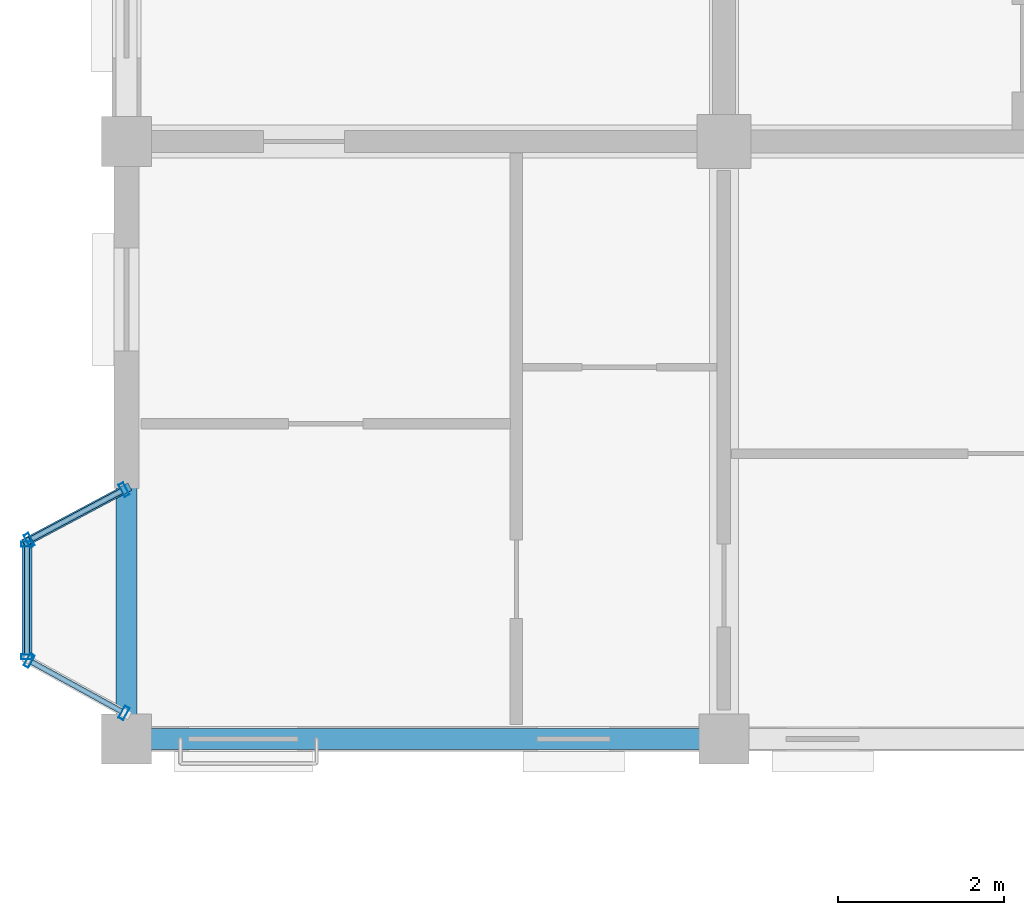
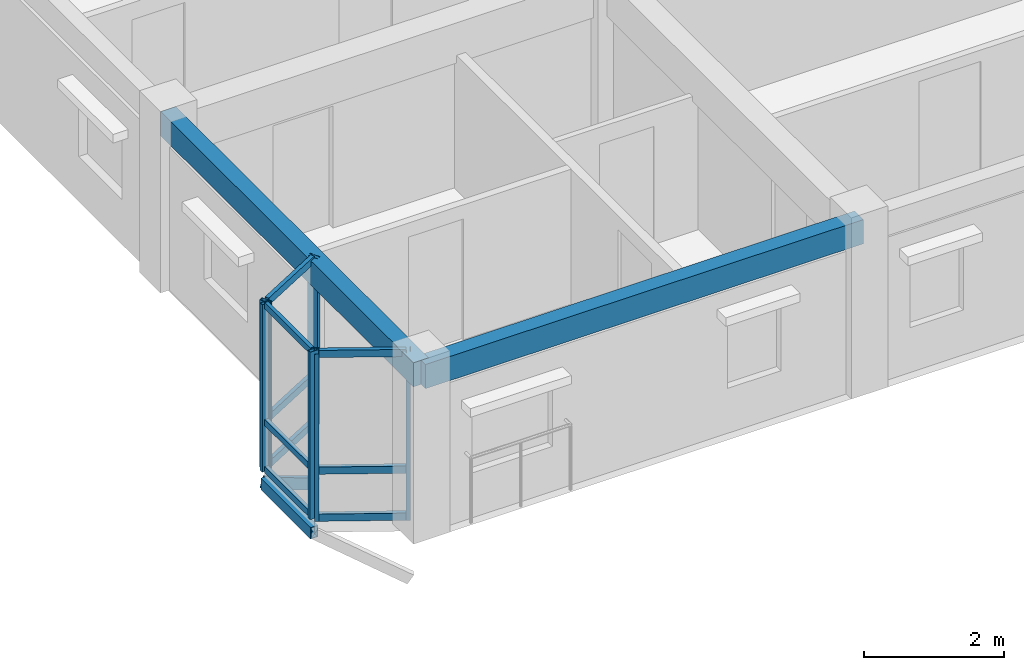
# One storey, part 17 of 124: 17 members, 2 beams, 3 elements without a shape of their own.
"""IFC4 building model written with IfcOpenShell, lengths in metres."""

from ifc_helpers import new_model, si_unit, direction, frame, origin, origin_2d, place, context, subcontext, project, spatial, rectangle, hollow_rectangle, extrude, material, layer, layer_set, material_profile, profile_set, type_object, element, aggregate, save


model = new_model("IFC4")

# Units and contexts
model_context = context("Model", 3, precision=1e-05, world=origin(), true_north=direction((0.0, 1.0)))
body_context = subcontext(model_context, "Body", "Model", "MODEL_VIEW")
ifc_project = project(units=[si_unit("LENGTHUNIT", "METRE"), si_unit("AREAUNIT", "SQUARE_METRE"), si_unit("VOLUMEUNIT", "CUBIC_METRE"), si_unit("PLANEANGLEUNIT", "RADIAN"), si_unit("MASSUNIT", "GRAM", prefix="KILO"), si_unit("THERMODYNAMICTEMPERATUREUNIT", "KELVIN"), si_unit("POWERUNIT", "WATT")], contexts=[model_context])

# Site, building, storey
site_placement = place(None, origin())
site = spatial("IfcSite", under=ifc_project, at=site_placement, CompositionType="ELEMENT")
building_placement = place(site_placement, origin())
building = spatial("IfcBuilding", under=site, at=building_placement, Name="Tavuni Mirador Residences", CompositionType="ELEMENT")
storey_placement = place(building_placement, frame((0.0, 0.0, 7.64990234375)))
storey = spatial("IfcBuildingStorey", under=building, at=storey_placement, Name="L02", CompositionType="ELEMENT", Elevation=7.64990234375)

# Beams
ifc_material_1 = material(Name="Precast concrete C40/50", Category="concrete")
ifc_material_profile_1 = material_profile(ifc_material_1, rectangle(XDim=0.25, YDim=0.419921875, at=origin_2d()), Name="PC 250x420", Category="concrete")
ifc_profile_set_1 = profile_set([ifc_material_profile_1], Name="Precast concrete C40/50")
beam_type = type_object("IfcBeamType", Name="BT-SP420", PredefinedType="SPANDREL", material=ifc_profile_set_1)
for number, where, z_axis, x_axis, name in (
    (1, (3.60009765625, 64.800048828125, 2.7001953125), (1.0, 0.0, 0.0), (0.0, 1.0, 0.0), "BMX-BLK-B-L02-00-00"),
    (2, (3.60009765625, 64.800048828125, 2.7001953125), (0.0, 1.0, 0.0), (-1.0, 0.0, 0.0), "BMY-BLK-B-L02-00-00"),
):
    element("IfcBeam", number, at=place(storey_placement, frame(where, z_axis=z_axis, x_axis=x_axis)), inside=storey, type_object=beam_type, Name=name, PredefinedType="SPANDREL", context=body_context, shape_type="SweptSolid", body=[
        extrude(rectangle(XDim=0.25, YDim=0.419921875, at=origin_2d()), origin(), (0.0, 0.0, 1.0), 7.199951171875),
    ])

# Curtain wall, members
ifc_material_2 = material(Name="Anodised aluminium", Category="aluminium")
ifc_layer_1 = layer(ifc_material_2, 0.175048828125, Name="Anodised aluminium", Category="aluminium")
ifc_layer_set_1 = layer_set([ifc_layer_1], Name="Anodised aluminium")
curtain_wall_type_1 = type_object("IfcCurtainWallType", Name="CWT-MIR-C", PredefinedType="NOTDEFINED", material=ifc_layer_set_1)
curtain_wall_1_placement = place(storey_placement, origin())
curtain_wall_1 = element("IfcCurtainWall", 3, at=curtain_wall_1_placement, inside=storey, type_object=curtain_wall_type_1, Name="CW-MIR-B-W1-L02-MF", PredefinedType="NOTDEFINED")
ifc_material_profile_2 = material_profile(ifc_material_2, hollow_rectangle(XDim=0.06005859375, YDim=0.139892578125, WallThickness=0.00390625, at=origin_2d()), Name="ALU 60x140x4.0", Category="aluminium")
ifc_profile_set_2 = profile_set([ifc_material_profile_2], Name="Anodised aluminium")
member_type_1 = type_object("IfcMemberType", Name="CWM-140", PredefinedType="MULLION", material=ifc_profile_set_2)
member_1_placement = place(storey_placement, frame((2.39990234375, 67.14990234375, 0.0), z_axis=(0.0, 0.0, 1.0), x_axis=(0.0, -1.0, 0.0)))
member_1 = element("IfcMember", 4, at=member_1_placement, type_object=member_type_1, Name="CW-03 mullion 1", PredefinedType="MULLION", context=body_context, shape_type="SweptSolid", body=[
    extrude(hollow_rectangle(XDim=0.06005859375, YDim=0.139892578125, WallThickness=0.00390625, at=origin_2d()), origin(), (0.0, 0.0, 1.0), 2.91015625),
])
member_2_placement = place(storey_placement, frame((2.39990234375, 65.7900390625, 0.0), z_axis=(0.0, 0.0, 1.0), x_axis=(0.0, -1.0, 0.0)))
member_2 = element("IfcMember", 5, at=member_2_placement, type_object=member_type_1, Name="CW-03 mullion 2", PredefinedType="MULLION", context=body_context, shape_type="SweptSolid", body=[
    extrude(hollow_rectangle(XDim=0.06005859375, YDim=0.139892578125, WallThickness=0.00390625, at=origin_2d()), origin(), (0.0, 0.0, 1.0), 2.91015625),
])

ifc_layer_2 = layer(ifc_material_2, 0.14990234375, Name="Anodised aluminium", Category="aluminium")
ifc_layer_set_2 = layer_set([ifc_layer_2], Name="Anodised aluminium")
curtain_wall_type_2 = type_object("IfcCurtainWallType", Name="CWT-MIR-B", PredefinedType="NOTDEFINED", material=ifc_layer_set_2)
curtain_wall_2_placement = place(storey_placement, origin())
curtain_wall_2 = element("IfcCurtainWall", 6, at=curtain_wall_2_placement, inside=storey, type_object=curtain_wall_type_2, Name="CW-MIR-B-W1-L02-M1", PredefinedType="NOTDEFINED")
ifc_material_profile_3 = material_profile(ifc_material_2, hollow_rectangle(XDim=0.06494140625, YDim=0.1650390625, WallThickness=0.00439453125, at=origin_2d()), Name="ALU 65x165x4.5", Category="aluminium")
ifc_profile_set_3 = profile_set([ifc_material_profile_3], Name="Anodised aluminium")
member_type_2 = type_object("IfcMemberType", Name="CWM-165", PredefinedType="MULLION", material=ifc_profile_set_3)
member_3_placement = place(storey_placement, frame((3.5712890625, 67.8046875, 0.0), z_axis=(0.0, 0.0, 1.0), x_axis=(-0.882352941175, -0.470588235296, 0.0)))
member_3 = element("IfcMember", 7, at=member_3_placement, type_object=member_type_2, Name="CW-02 mullion 1", PredefinedType="MULLION", context=body_context, shape_type="SweptSolid", body=[
    extrude(hollow_rectangle(XDim=0.06494140625, YDim=0.1650390625, WallThickness=0.00439453125, at=origin_2d()), origin(), (0.0, 0.0, 1.0), 2.91015625),
])
member_4_placement = place(storey_placement, frame((2.4287109375, 67.1953125, 0.0), z_axis=(0.0, 0.0, 1.0), x_axis=(-0.882352941175, -0.470588235296, 0.0)))
member_4 = element("IfcMember", 8, at=member_4_placement, type_object=member_type_2, Name="CW-02 mullion 2", PredefinedType="MULLION", context=body_context, shape_type="SweptSolid", body=[
    extrude(hollow_rectangle(XDim=0.06494140625, YDim=0.1650390625, WallThickness=0.00439453125, at=origin_2d()), origin(), (0.0, 0.0, 1.0), 2.91015625),
])

ifc_layer_3 = layer(ifc_material_2, 0.159912109375, Name="Anodised aluminium", Category="aluminium")
ifc_layer_set_3 = layer_set([ifc_layer_3], Name="Anodised aluminium")
curtain_wall_type_3 = type_object("IfcCurtainWallType", Name="CWT-MIR-D", PredefinedType="NOTDEFINED", material=ifc_layer_set_3)
curtain_wall_3_placement = place(storey_placement, origin())
curtain_wall_3 = element("IfcCurtainWall", 9, at=curtain_wall_3_placement, inside=storey, type_object=curtain_wall_type_3, Name="CW-MIR-B-W1-L02-M2", PredefinedType="NOTDEFINED")
member_5_placement = place(storey_placement, frame((2.428466796875, 65.744384765625, 0.0), z_axis=(0.0, 0.0, 1.0), x_axis=(0.876215908676, -0.481918749773, 0.0)))
member_5 = element("IfcMember", 10, at=member_5_placement, type_object=member_type_2, Name="CW-04 mullion 1", PredefinedType="MULLION", context=body_context, shape_type="SweptSolid", body=[
    extrude(hollow_rectangle(XDim=0.06494140625, YDim=0.1650390625, WallThickness=0.00439453125, at=origin_2d()), origin(), (0.0, 0.0, 1.0), 2.91015625),
])
member_6_placement = place(storey_placement, frame((3.571533203125, 65.11572265625, 0.0), z_axis=(0.0, 0.0, 1.0), x_axis=(0.876215908676, -0.481918749773, 0.0)))
member_6 = element("IfcMember", 11, at=member_6_placement, type_object=member_type_2, Name="CW-04 mullion 2", PredefinedType="MULLION", context=body_context, shape_type="SweptSolid", body=[
    extrude(hollow_rectangle(XDim=0.06494140625, YDim=0.1650390625, WallThickness=0.00439453125, at=origin_2d()), origin(), (0.0, 0.0, 1.0), 2.91015625),
])

# Member
ifc_material_profile_4 = material_profile(ifc_material_2, hollow_rectangle(XDim=0.06005859375, YDim=0.110107421875, WallThickness=0.00390625, at=origin_2d()), Name="ALU 60x110x4.0", Category="aluminium")
ifc_profile_set_4 = profile_set([ifc_material_profile_4], Name="Anodised aluminium")
member_type_3 = type_object("IfcMemberType", Name="CWT-110", PredefinedType="USERDEFINED", material=ifc_profile_set_4)
member_7_placement = place(storey_placement, frame((2.39990234375, 67.1201171875, 0.030029296875), z_axis=(0.0, -1.0, 0.0), x_axis=(1.0, 0.0, 0.0)))
member_7 = element("IfcMember", 12, at=member_7_placement, type_object=member_type_3, Name="CW-03 transom 1.1", ObjectType="TRANSOM", PredefinedType="USERDEFINED", context=body_context, shape_type="SweptSolid", body=[
    extrude(hollow_rectangle(XDim=0.06005859375, YDim=0.110107421875, WallThickness=0.00390625, at=origin_2d()), origin(), (0.0, 0.0, 1.0), 1.300048828125),
])

member_8_placement = place(storey_placement, frame((2.39990234375, 67.1201171875, 0.85009765625), z_axis=(0.0, -1.0, 0.0), x_axis=(1.0, 0.0, 0.0)))
member_8 = element("IfcMember", 13, at=member_8_placement, type_object=member_type_3, Name="CW-03 transom 1.2", ObjectType="TRANSOM", PredefinedType="USERDEFINED", context=body_context, shape_type="SweptSolid", body=[
    extrude(hollow_rectangle(XDim=0.06005859375, YDim=0.110107421875, WallThickness=0.00390625, at=origin_2d()), origin(), (0.0, 0.0, 1.0), 1.300048828125),
])

member_9_placement = place(storey_placement, frame((2.39990234375, 67.1201171875, 2.880126953125), z_axis=(0.0, -1.0, 0.0), x_axis=(1.0, 0.0, 0.0)))
member_9 = element("IfcMember", 14, at=member_9_placement, type_object=member_type_3, Name="CW-03 transom 1.3", ObjectType="TRANSOM", PredefinedType="USERDEFINED", context=body_context, shape_type="SweptSolid", body=[
    extrude(hollow_rectangle(XDim=0.06005859375, YDim=0.110107421875, WallThickness=0.00390625, at=origin_2d()), origin(), (0.0, 0.0, 1.0), 1.300048828125),
])

aggregate(curtain_wall_1, [member_1, member_2, member_7, member_8, member_9])

ifc_material_profile_5 = material_profile(ifc_material_2, hollow_rectangle(XDim=0.06494140625, YDim=0.125, WallThickness=0.00439453125, at=origin_2d()), Name="ALU 65x125x4.5", Category="aluminium")
ifc_profile_set_5 = profile_set([ifc_material_profile_5], Name="Anodised aluminium")
member_type_4 = type_object("IfcMemberType", Name="CWT-125", PredefinedType="USERDEFINED", material=ifc_profile_set_5)
member_10_placement = place(storey_placement, frame((3.542724609375, 67.789306640625, 0.03271484375), z_axis=(-0.882451819392, -0.470402791714, 0.0), x_axis=(0.470402791714, -0.882451819392, 0.0)))
member_10 = element("IfcMember", 15, at=member_10_placement, type_object=member_type_4, Name="CW-02 transom 1.1", ObjectType="TRANSOM", PredefinedType="USERDEFINED", context=body_context, shape_type="SweptSolid", body=[
    extrude(hollow_rectangle(XDim=0.06494140625, YDim=0.125, WallThickness=0.00439453125, at=origin_2d()), origin(), (0.0, 0.0, 1.0), 1.22998046875),
])

member_11_placement = place(storey_placement, frame((3.542724609375, 67.789306640625, 0.85009765625), z_axis=(-0.882451819392, -0.470402791714, 0.0), x_axis=(0.470402791714, -0.882451819392, 0.0)))
member_11 = element("IfcMember", 16, at=member_11_placement, type_object=member_type_4, Name="CW-02 transom 1.2", ObjectType="TRANSOM", PredefinedType="USERDEFINED", context=body_context, shape_type="SweptSolid", body=[
    extrude(hollow_rectangle(XDim=0.06494140625, YDim=0.125, WallThickness=0.00439453125, at=origin_2d()), origin(), (0.0, 0.0, 1.0), 1.22998046875),
])

member_12_placement = place(storey_placement, frame((3.542724609375, 67.789306640625, 2.877685546875), z_axis=(-0.882451819392, -0.470402791714, 0.0), x_axis=(0.470402791714, -0.882451819392, 0.0)))
member_12 = element("IfcMember", 17, at=member_12_placement, type_object=member_type_4, Name="CW-02 transom 1.3", ObjectType="TRANSOM", PredefinedType="USERDEFINED", context=body_context, shape_type="SweptSolid", body=[
    extrude(hollow_rectangle(XDim=0.06494140625, YDim=0.125, WallThickness=0.00439453125, at=origin_2d()), origin(), (0.0, 0.0, 1.0), 1.22998046875),
])

aggregate(curtain_wall_2, [member_3, member_4, member_10, member_11, member_12])

member_13_placement = place(storey_placement, frame((2.45703125, 65.728759765625, 0.03271484375), z_axis=(0.876165997397, -0.482009486427, 0.0), x_axis=(0.482009486427, 0.876165997397, 0.0)))
member_13 = element("IfcMember", 18, at=member_13_placement, type_object=member_type_4, Name="CW-04 transom 1.1", ObjectType="TRANSOM", PredefinedType="USERDEFINED", context=body_context, shape_type="SweptSolid", body=[
    extrude(hollow_rectangle(XDim=0.06494140625, YDim=0.125, WallThickness=0.00439453125, at=origin_2d()), origin(), (0.0, 0.0, 1.0), 1.239501953125),
])

member_14_placement = place(storey_placement, frame((2.45703125, 65.728759765625, 0.85009765625), z_axis=(0.876165997397, -0.482009486427, 0.0), x_axis=(0.482009486427, 0.876165997397, 0.0)))
member_14 = element("IfcMember", 19, at=member_14_placement, type_object=member_type_4, Name="CW-04 transom 1.2", ObjectType="TRANSOM", PredefinedType="USERDEFINED", context=body_context, shape_type="SweptSolid", body=[
    extrude(hollow_rectangle(XDim=0.06494140625, YDim=0.125, WallThickness=0.00439453125, at=origin_2d()), origin(), (0.0, 0.0, 1.0), 1.239501953125),
])

member_15_placement = place(storey_placement, frame((2.45703125, 65.728759765625, 2.877685546875), z_axis=(0.876165997397, -0.482009486427, 0.0), x_axis=(0.482009486427, 0.876165997397, 0.0)))
member_15 = element("IfcMember", 20, at=member_15_placement, type_object=member_type_4, Name="CW-04 transom 1.3", ObjectType="TRANSOM", PredefinedType="USERDEFINED", context=body_context, shape_type="SweptSolid", body=[
    extrude(hollow_rectangle(XDim=0.06494140625, YDim=0.125, WallThickness=0.00439453125, at=origin_2d()), origin(), (0.0, 0.0, 1.0), 1.239501953125),
])

aggregate(curtain_wall_3, [member_5, member_6, member_13, member_14, member_15])

# Members
ifc_material_3 = material(Name="Structural steel S355", Category="steel")
ifc_material_profile_6 = material_profile(ifc_material_3, hollow_rectangle(XDim=0.10009765625, YDim=0.179931640625, WallThickness=0.008056640625, at=origin_2d()), Name="RHS 180x100x8.0", Category="steel")
ifc_profile_set_6 = profile_set([ifc_material_profile_6], Name="Structural steel S355")
member_type_5 = type_object("IfcMemberType", Name="MT-BR-RHS180", PredefinedType="BRACE", material=ifc_profile_set_6)
member_16_placement = place(storey_placement, frame((3.60009765625, 67.820068359375, -1.0498046875), z_axis=(-0.758154373921, -0.404369562331, 0.511553714055), x_axis=(0.470606866739, -0.882343004153, 0.0)))
element("IfcMember", 21, at=member_16_placement, inside=storey, type_object=member_type_5, Name="MBRK-MIR-B-W1-L02-2", PredefinedType="BRACE", context=body_context, shape_type="SweptSolid", body=[
    extrude(hollow_rectangle(XDim=0.10009765625, YDim=0.179931640625, WallThickness=0.008056640625, at=origin_2d()), origin(), (0.0, 0.0, 1.0), 1.5830078125),
])
ifc_material_profile_7 = material_profile(ifc_material_3, hollow_rectangle(XDim=0.1201171875, YDim=0.199951171875, WallThickness=0.010009765625, at=origin_2d()), Name="RHS 200x120x10.0", Category="steel")
ifc_profile_set_7 = profile_set([ifc_material_profile_7], Name="Structural steel S355")
member_type_6 = type_object("IfcMemberType", Name="MT-ST-RHS200", PredefinedType="STRUT", material=ifc_profile_set_7)
member_17_placement = place(storey_placement, frame((2.39990234375, 65.760009765625, -0.239990234375), z_axis=(0.0, 1.0, 0.0), x_axis=(-1.0, 0.0, 0.0)))
element("IfcMember", 22, at=member_17_placement, inside=storey, type_object=member_type_6, Name="MRIM-MIR-B-W1-L02", PredefinedType="STRUT", context=body_context, shape_type="SweptSolid", body=[
    extrude(hollow_rectangle(XDim=0.1201171875, YDim=0.199951171875, WallThickness=0.010009765625, at=origin_2d()), origin(), (0.0, 0.0, 1.0), 1.419921875),
])

save(model, "model.ifc")
